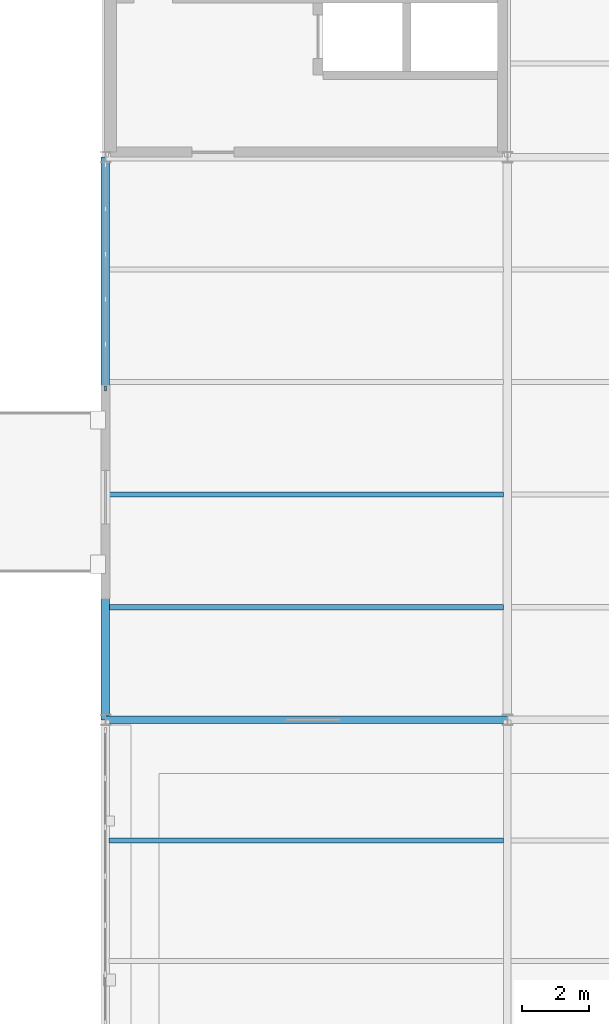
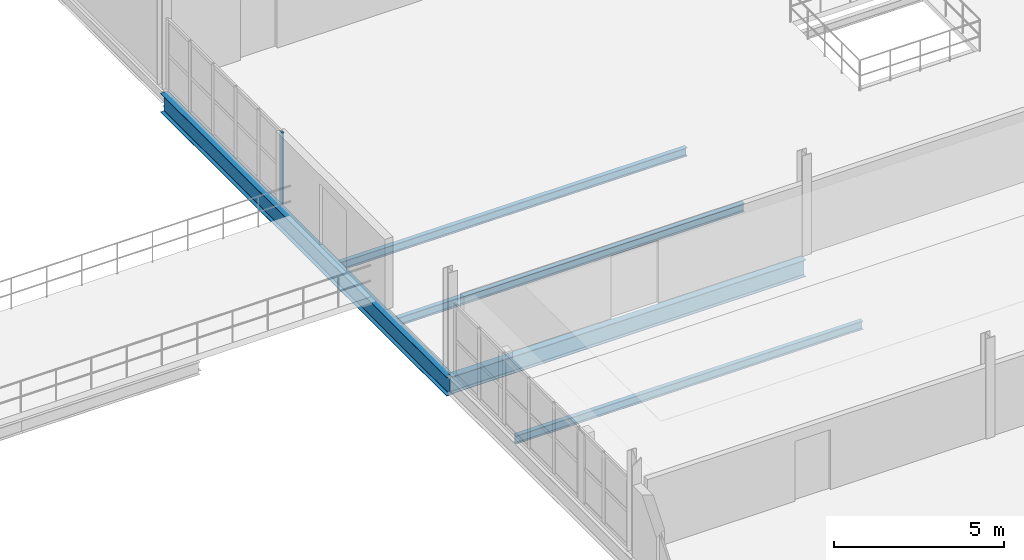
# One storey, part 31 of 101: 5 beams, 1 member, 1 element without a shape of its own.
"""IFC4 building model written with IfcOpenShell, lengths in metres."""

from ifc_helpers import new_model, si_unit, direction, frame, origin, origin_2d, place, context, subcontext, project, spatial, rectangle, i_section, extrude, material, layer, layer_set, material_profile, profile_set, type_object, element, aggregate, save


model = new_model("IFC4")

# Units and contexts
model_context = context("Model", 3, precision=1e-05, world=origin(), true_north=direction((0.0, 1.0)))
body_context = subcontext(model_context, "Body", "Model", "MODEL_VIEW")
ifc_project = project(units=[si_unit("LENGTHUNIT", "METRE"), si_unit("AREAUNIT", "SQUARE_METRE"), si_unit("VOLUMEUNIT", "CUBIC_METRE"), si_unit("PLANEANGLEUNIT", "RADIAN"), si_unit("MASSUNIT", "GRAM", prefix="KILO"), si_unit("THERMODYNAMICTEMPERATUREUNIT", "KELVIN"), si_unit("POWERUNIT", "WATT")], contexts=[model_context])

# Site, building, storey
site_placement = place(None, origin())
site = spatial("IfcSite", under=ifc_project, at=site_placement, CompositionType="ELEMENT")
building_placement = place(site_placement, origin())
building = spatial("IfcBuilding", under=site, at=building_placement, Name="Tembeka Court Mobility Hub", CompositionType="ELEMENT")
storey_placement = place(building_placement, frame((0.0, 0.0, 5.39990234375)))
storey = spatial("IfcBuildingStorey", under=building, at=storey_placement, Name="L01", CompositionType="ELEMENT", Elevation=5.39990234375)

# Beams
ifc_material_1 = material(Name="Steel S355", Category="steel")
ifc_material_profile_1 = material_profile(ifc_material_1, i_section(OverallWidth=0.25390625, OverallDepth=0.68408203125, WebThickness=0.012451171875, FlangeThickness=0.01904296875, FilletRadius=0.01513671875, at=origin_2d()), Name="UKB 686x254x140")
ifc_profile_set_1 = profile_set([ifc_material_profile_1], Name="Steel S355")
beam_type_1 = type_object("IfcBeamType", Name="BM-G01", PredefinedType="USERDEFINED", material=ifc_profile_set_1)
beam_1_placement = place(storey_placement, frame((116.39990234375, 21.60009765625, -0.572021484375), z_axis=(0.0, 1.0, 0.0), x_axis=(-1.0, 0.0, 0.0)))
element("IfcBeam", 1, at=beam_1_placement, inside=storey, type_object=beam_type_1, Name="Beam G01 (BM-L01-Y0874)", ObjectType="GIRDER", PredefinedType="USERDEFINED", context=body_context, shape_type="SweptSolid", body=[
    extrude(i_section(OverallWidth=0.25390625, OverallDepth=0.68408203125, WebThickness=0.012451171875, FlangeThickness=0.01904296875, FilletRadius=0.01513671875, at=origin_2d()), origin(), (0.0, 0.0, 1.0), 16.7998046875),
])
ifc_material_profile_2 = material_profile(ifc_material_1, i_section(OverallWidth=0.22900390625, OverallDepth=0.612060546875, WebThickness=0.011962890625, FlangeThickness=0.01953125, FilletRadius=0.0126953125, at=origin_2d()), Name="UKB 610x229x125")
ifc_profile_set_2 = profile_set([ifc_material_profile_2], Name="Steel S355")
beam_type_2 = type_object("IfcBeamType", Name="BM-G02", PredefinedType="USERDEFINED", material=ifc_profile_set_2)
beam_2_placement = place(storey_placement, frame((116.39990234375, 21.60009765625, -0.495849609375), z_axis=(1.0, 0.0, 0.0), x_axis=(0.0, 1.0, 0.0)))
element("IfcBeam", 2, at=beam_2_placement, inside=storey, type_object=beam_type_2, Name="Beam G02 (BM-L01-X0640)", ObjectType="GIRDER", PredefinedType="USERDEFINED", context=body_context, shape_type="SweptSolid", body=[
    extrude(i_section(OverallWidth=0.22900390625, OverallDepth=0.612060546875, WebThickness=0.011962890625, FlangeThickness=0.01953125, FilletRadius=0.0126953125, at=origin_2d()), origin(), (0.0, 0.0, 1.0), 12.0),
])
ifc_material_profile_3 = material_profile(ifc_material_1, i_section(OverallWidth=0.14990234375, OverallDepth=0.300048828125, WebThickness=0.007080078125, FlangeThickness=0.0107421875, FilletRadius=0.014892578125, at=origin_2d()), Name="IPE 300")
ifc_profile_set_3 = profile_set([ifc_material_profile_3], Name="Steel S355")
beam_type_3 = type_object("IfcBeamType", Name="BM-J04", PredefinedType="JOIST", material=ifc_profile_set_3)
beam_3_placement = place(storey_placement, frame((116.509521484375, 18.0, -0.33984375), z_axis=(1.0, 0.0, 0.0), x_axis=(0.0, 1.0, 0.0)))
element("IfcBeam", 3, at=beam_3_placement, inside=storey, type_object=beam_type_3, Name="Beam J04 (JST-L01-1110)", PredefinedType="JOIST", context=body_context, shape_type="SweptSolid", body=[
    extrude(i_section(OverallWidth=0.14990234375, OverallDepth=0.300048828125, WebThickness=0.007080078125, FlangeThickness=0.0107421875, FilletRadius=0.014892578125, at=origin_2d()), origin(), (0.0, 0.0, 1.0), 11.781005859375),
])
for number, where, z_axis, x_axis, name in (
    (4, (116.52197265625, 24.9599609375, -0.33984375), (1.0, 0.0, 0.0), (0.0, 1.0, 0.0), "Beam J04 (JST-L01-1111)"),
    (5, (116.52197265625, 28.320068359375, -0.3798828125), (1.0, 0.0, 0.0), (0.0, 1.0, 0.0), "Beam J04 (JST-L01-1112)"),
):
    element("IfcBeam", number, at=place(storey_placement, frame(where, z_axis=z_axis, x_axis=x_axis)), inside=storey, type_object=beam_type_3, Name=name, PredefinedType="JOIST", context=body_context, shape_type="SweptSolid", body=[
        extrude(i_section(OverallWidth=0.14990234375, OverallDepth=0.300048828125, WebThickness=0.007080078125, FlangeThickness=0.0107421875, FilletRadius=0.014892578125, at=origin_2d()), origin(), (0.0, 0.0, 1.0), 11.756103515625),
    ])

# Curtain wall, member
ifc_material_2 = material(Name="Anodised aluminium 6063-T6", Category="aluminium")
ifc_layer = layer(ifc_material_2, 0.159912109375)
ifc_layer_set = layer_set([ifc_layer], Name="Anodised aluminium 6063-T6")
curtain_wall_type = type_object("IfcCurtainWallType", Name="CW-SYS36", PredefinedType="USERDEFINED", material=ifc_layer_set)
curtain_wall_placement = place(storey_placement, origin())
curtain_wall = element("IfcCurtainWall", 6, at=curtain_wall_placement, inside=storey, type_object=curtain_wall_type, Name="Unitised curtain wall CW36 (CW-L01-104)", ObjectType="UNITISED GLAZING", PredefinedType="USERDEFINED")
ifc_material_profile_4 = material_profile(ifc_material_2, rectangle(XDim=0.06494140625, YDim=0.159912109375, at=origin_2d()), Name="ALU-MUL 65x160")
ifc_profile_set_4 = profile_set([ifc_material_profile_4], Name="Anodised aluminium 6063-T6")
member_type = type_object("IfcMemberType", Name="CW-MUL01", PredefinedType="MULLION", material=ifc_profile_set_4)
member_placement = place(storey_placement, frame((116.39990234375, 31.492431640625, 0.0), z_axis=(0.0, 0.0, 1.0), x_axis=(-1.0, 0.0, 0.0)))
member = element("IfcMember", 7, at=member_placement, type_object=member_type, Name="CW36 mullion 1", PredefinedType="MULLION", context=body_context, shape_type="SweptSolid", body=[
    extrude(rectangle(XDim=0.06494140625, YDim=0.159912109375, at=origin_2d()), origin(), (0.0, 0.0, 1.0), 2.53515625),
])
aggregate(curtain_wall, [member])

save(model, "model.ifc")
